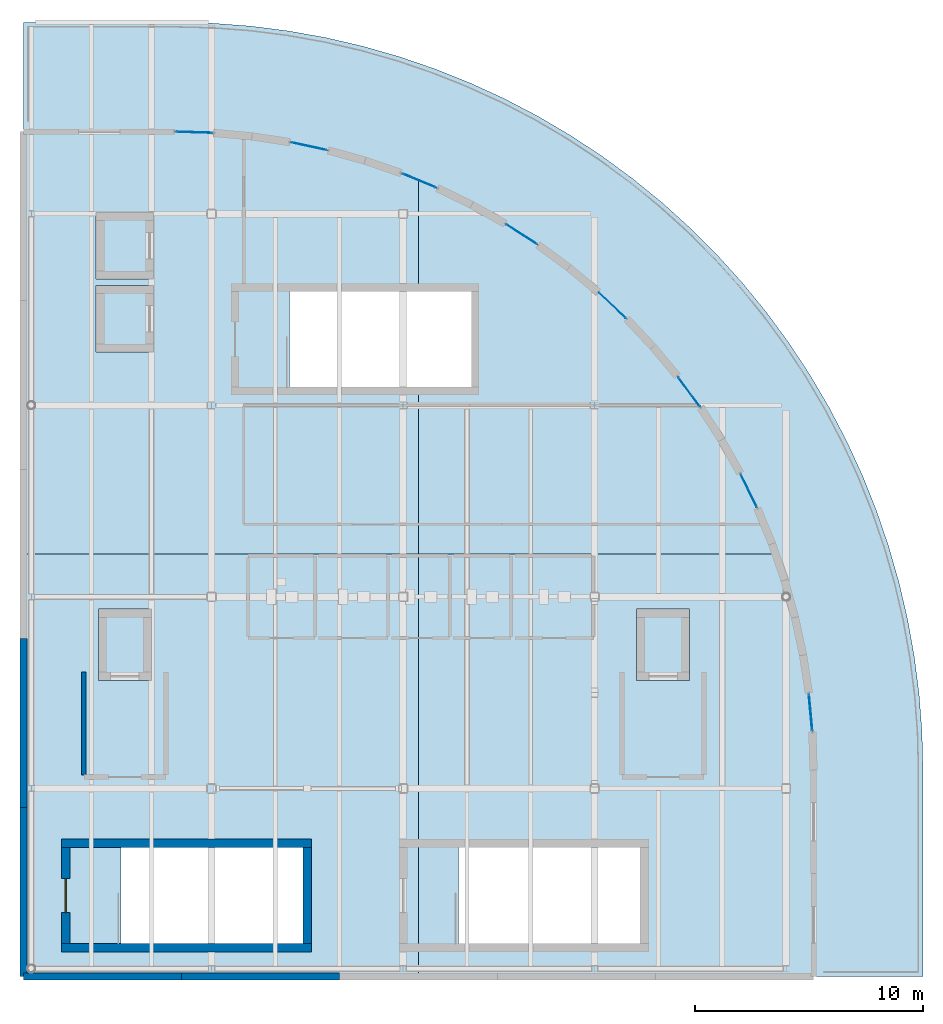
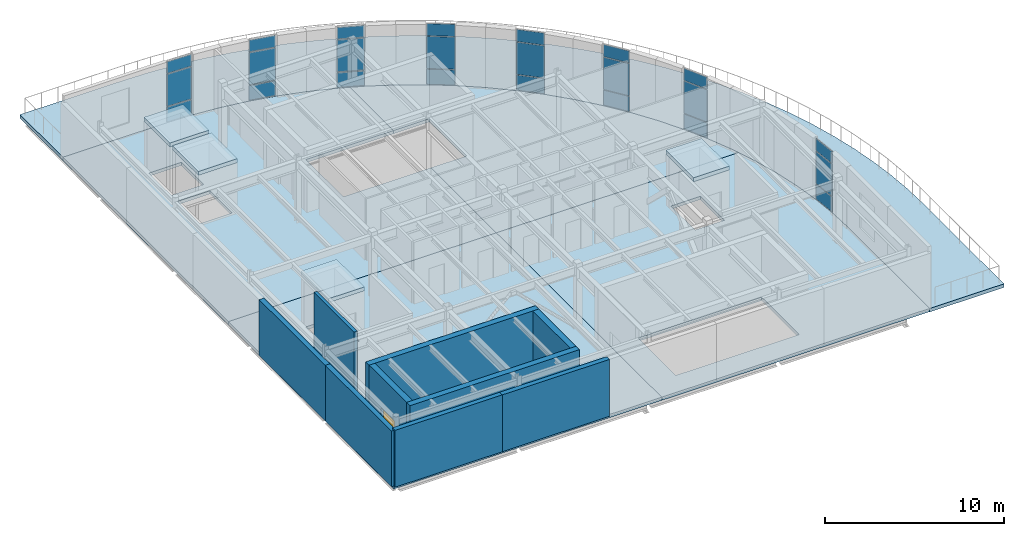
# One storey, part 17 of 26: 24 plates, 9 slabs, 9 walls, 1 door, 1 opening, 8 elements without a shape of their own.
"""IFC4 building model written with IfcOpenShell, lengths in metres."""

from ifc_helpers import new_model, si_unit, direction, frame, frame_2d, origin, origin_2d, place, context, subcontext, project, spatial, polyline, rectangle, outline, extrude, material, layer, layer_set, type_object, element, fill, aggregate, save


model = new_model("IFC4")

# Units and contexts
model_context = context("Model", 3, precision=1e-05, world=origin(), true_north=direction((0.0, 1.0)))
body_context = subcontext(model_context, "Body", "Model", "MODEL_VIEW")
ifc_project = project(units=[si_unit("LENGTHUNIT", "METRE"), si_unit("AREAUNIT", "SQUARE_METRE"), si_unit("VOLUMEUNIT", "CUBIC_METRE"), si_unit("PLANEANGLEUNIT", "RADIAN"), si_unit("MASSUNIT", "GRAM", prefix="KILO"), si_unit("THERMODYNAMICTEMPERATUREUNIT", "KELVIN")], contexts=[model_context])

# Site, building, storey
site_placement = place(None, origin())
site = spatial("IfcSite", under=ifc_project, at=site_placement, CompositionType="ELEMENT")
building_placement = place(site_placement, origin())
building = spatial("IfcBuilding", under=site, at=building_placement, Name="Lustrewick Department Store", CompositionType="ELEMENT")
storey_placement = place(building_placement, frame((0.0, 0.0, 36.300048828125)))
storey = spatial("IfcBuildingStorey", under=building, at=storey_placement, Name="L08", CompositionType="ELEMENT", Elevation=36.300048828125)

# Curtain wall, plates
ifc_material_1 = material(Name="Thermally broken aluminium 6063-T5", Category="aluminium")
ifc_layer_1 = layer(ifc_material_1, 0.139892578125, Name="Thermally broken aluminium 6063-T5")
ifc_layer_set_1 = layer_set([ifc_layer_1], Name="Thermally broken aluminium 6063-T5")
curtain_wall_type_1 = type_object("IfcCurtainWallType", Name="CW06", PredefinedType="NOTDEFINED", material=ifc_layer_set_1)
curtain_wall_1_placement = place(storey_placement, origin())
curtain_wall_1 = element("IfcCurtainWall", 1, at=curtain_wall_1_placement, inside=storey, type_object=curtain_wall_type_1, Name="L08 V4 Curtain Wall CW06", PredefinedType="NOTDEFINED")
ifc_material_2 = material(Name="Low-E laminated safety glass", Category="glass")
ifc_layer_2 = layer(ifc_material_2, 0.02392578125, Name="Low-E laminated safety glass")
ifc_layer_set_2 = layer_set([ifc_layer_2], Name="Low-E laminated safety glass")
plate_type_1 = type_object("IfcPlateType", Name="CP01", PredefinedType="CURTAIN_PANEL", material=ifc_layer_set_2)
plate_1_placement = place(storey_placement, frame((141.1630859375, 71.851806640625, 0.054931640625), z_axis=(0.0, 0.0, 1.0), x_axis=(-0.437775821113, 0.89908416205, 0.0)))
plate_1 = element("IfcPlate", 2, at=plate_1_placement, type_object=plate_type_1, Name="CW06 panel 1.1", PredefinedType="CURTAIN_PANEL", context=body_context, shape_type="SweptSolid", body=[
    extrude(rectangle(XDim=1.581298828125, YDim=0.02392578125, at=origin_2d()), origin(), (0.0, 0.0, 1.0), 1.017578125),
])
plate_2_placement = place(storey_placement, frame((141.1630859375, 71.851806640625, 1.12744140625), z_axis=(0.0, 0.0, 1.0), x_axis=(-0.437775821113, 0.89908416205, 0.0)))
plate_2 = element("IfcPlate", 3, at=plate_2_placement, type_object=plate_type_1, Name="CW06 panel 1.2", PredefinedType="CURTAIN_PANEL", context=body_context, shape_type="SweptSolid", body=[
    extrude(rectangle(XDim=1.581298828125, YDim=0.02392578125, at=origin_2d()), origin(), (0.0, 0.0, 1.0), 2.18994140625),
])
plate_3_placement = place(storey_placement, frame((141.1630859375, 71.851806640625, 3.37255859375), z_axis=(0.0, 0.0, 1.0), x_axis=(-0.437775821113, 0.89908416205, 0.0)))
plate_3 = element("IfcPlate", 4, at=plate_3_placement, type_object=plate_type_1, Name="CW06 panel 1.3", PredefinedType="CURTAIN_PANEL", context=body_context, shape_type="SweptSolid", body=[
    extrude(rectangle(XDim=1.581298828125, YDim=0.02392578125, at=origin_2d()), origin(), (0.0, 0.0, 1.0), 0.8173828125),
])
aggregate(curtain_wall_1, [plate_1, plate_2, plate_3])

ifc_layer_3 = layer(ifc_material_1, 0.179931640625, Name="Thermally broken aluminium 6063-T5")
ifc_layer_set_3 = layer_set([ifc_layer_3], Name="Thermally broken aluminium 6063-T5")
curtain_wall_type_2 = type_object("IfcCurtainWallType", Name="CW11", PredefinedType="NOTDEFINED", material=ifc_layer_set_3)
curtain_wall_2_placement = place(storey_placement, origin())
curtain_wall_2 = element("IfcCurtainWall", 5, at=curtain_wall_2_placement, inside=storey, type_object=curtain_wall_type_2, Name="L08 V4 Curtain Wall CW11", PredefinedType="NOTDEFINED")
plate_4_placement = place(storey_placement, frame((121.8740234375, 86.9638671875, 0.06494140625), z_axis=(0.0, 0.0, 1.0), x_axis=(-0.977725343289, 0.209888430101, 0.0)))
plate_4 = element("IfcPlate", 6, at=plate_4_placement, type_object=plate_type_1, Name="CW11 panel 1.1", PredefinedType="CURTAIN_PANEL", context=body_context, shape_type="SweptSolid", body=[
    extrude(rectangle(XDim=1.561279296875, YDim=0.02392578125, at=origin_2d()), origin(), (0.0, 0.0, 1.0), 1.00244140625),
])
plate_5_placement = place(storey_placement, frame((121.8740234375, 86.9638671875, 1.13232421875), z_axis=(0.0, 0.0, 1.0), x_axis=(-0.977725343289, 0.209888430101, 0.0)))
plate_5 = element("IfcPlate", 7, at=plate_5_placement, type_object=plate_type_1, Name="CW11 panel 1.2", PredefinedType="CURTAIN_PANEL", context=body_context, shape_type="SweptSolid", body=[
    extrude(rectangle(XDim=1.561279296875, YDim=0.02392578125, at=origin_2d()), origin(), (0.0, 0.0, 1.0), 2.179931640625),
])
plate_6_placement = place(storey_placement, frame((121.8740234375, 86.9638671875, 3.37744140625), z_axis=(0.0, 0.0, 1.0), x_axis=(-0.977725343289, 0.209888430101, 0.0)))
plate_6 = element("IfcPlate", 8, at=plate_6_placement, type_object=plate_type_1, Name="CW11 panel 1.3", PredefinedType="CURTAIN_PANEL", context=body_context, shape_type="SweptSolid", body=[
    extrude(rectangle(XDim=1.561279296875, YDim=0.02392578125, at=origin_2d()), origin(), (0.0, 0.0, 1.0), 0.802490234375),
])
aggregate(curtain_wall_2, [plate_4, plate_5, plate_6])

ifc_layer_4 = layer(ifc_material_1, 0.1298828125, Name="Thermally broken aluminium 6063-T5")
ifc_layer_set_4 = layer_set([ifc_layer_4], Name="Thermally broken aluminium 6063-T5")
curtain_wall_type_3 = type_object("IfcCurtainWallType", Name="CW07", PredefinedType="NOTDEFINED", material=ifc_layer_set_4)
curtain_wall_3_placement = place(storey_placement, origin())
curtain_wall_3 = element("IfcCurtainWall", 9, at=curtain_wall_3_placement, inside=storey, type_object=curtain_wall_type_3, Name="L08 V4 Curtain Wall CW07", PredefinedType="NOTDEFINED")
ifc_layer_5 = layer(ifc_material_2, 0.02587890625, Name="Low-E laminated safety glass")
ifc_layer_set_5 = layer_set([ifc_layer_5], Name="Low-E laminated safety glass")
plate_type_2 = type_object("IfcPlateType", Name="CP02", PredefinedType="CURTAIN_PANEL", material=ifc_layer_set_5)
plate_7_placement = place(storey_placement, frame((138.542236328125, 76.18701171875, 0.054931640625), z_axis=(0.0, 0.0, 1.0), x_axis=(-0.59266243518, 0.805450953148, 0.0)))
plate_7 = element("IfcPlate", 10, at=plate_7_placement, type_object=plate_type_2, Name="CW07 panel 1.1", PredefinedType="CURTAIN_PANEL", context=body_context, shape_type="SweptSolid", body=[
    extrude(rectangle(XDim=1.581298828125, YDim=0.02587890625, at=origin_2d()), origin(), (0.0, 0.0, 1.0), 1.017578125),
])
plate_8_placement = place(storey_placement, frame((138.542236328125, 76.18701171875, 1.12744140625), z_axis=(0.0, 0.0, 1.0), x_axis=(-0.59266243518, 0.805450953148, 0.0)))
plate_8 = element("IfcPlate", 11, at=plate_8_placement, type_object=plate_type_2, Name="CW07 panel 1.2", PredefinedType="CURTAIN_PANEL", context=body_context, shape_type="SweptSolid", body=[
    extrude(rectangle(XDim=1.581298828125, YDim=0.02587890625, at=origin_2d()), origin(), (0.0, 0.0, 1.0), 2.18994140625),
])
plate_9_placement = place(storey_placement, frame((138.542236328125, 76.18701171875, 3.37255859375), z_axis=(0.0, 0.0, 1.0), x_axis=(-0.59266243518, 0.805450953148, 0.0)))
plate_9 = element("IfcPlate", 12, at=plate_9_placement, type_object=plate_type_2, Name="CW07 panel 1.3", PredefinedType="CURTAIN_PANEL", context=body_context, shape_type="SweptSolid", body=[
    extrude(rectangle(XDim=1.581298828125, YDim=0.02587890625, at=origin_2d()), origin(), (0.0, 0.0, 1.0), 0.8173828125),
])
aggregate(curtain_wall_3, [plate_7, plate_8, plate_9])

ifc_layer_6 = layer(ifc_material_1, 0.169921875, Name="Thermally broken aluminium 6063-T5")
ifc_layer_set_6 = layer_set([ifc_layer_6], Name="Thermally broken aluminium 6063-T5")
curtain_wall_type_4 = type_object("IfcCurtainWallType", Name="CW12", PredefinedType="NOTDEFINED", material=ifc_layer_set_6)
curtain_wall_4_placement = place(storey_placement, origin())
curtain_wall_4 = element("IfcCurtainWall", 13, at=curtain_wall_4_placement, inside=storey, type_object=curtain_wall_type_4, Name="L08 V4 Curtain Wall CW12", PredefinedType="NOTDEFINED")
plate_10_placement = place(storey_placement, frame((116.84521484375, 87.574462890625, 0.06494140625), z_axis=(0.0, 0.0, 1.0), x_axis=(-0.99954350858, 0.030212157398, 0.0)))
plate_10 = element("IfcPlate", 14, at=plate_10_placement, type_object=plate_type_2, Name="CW12 panel 1.1", PredefinedType="CURTAIN_PANEL", context=body_context, shape_type="SweptSolid", body=[
    extrude(rectangle(XDim=1.561279296875, YDim=0.02587890625, at=origin_2d()), origin(), (0.0, 0.0, 1.0), 1.00244140625),
])
plate_11_placement = place(storey_placement, frame((116.84521484375, 87.574462890625, 1.13232421875), z_axis=(0.0, 0.0, 1.0), x_axis=(-0.99954350858, 0.030212157398, 0.0)))
plate_11 = element("IfcPlate", 15, at=plate_11_placement, type_object=plate_type_2, Name="CW12 panel 1.2", PredefinedType="CURTAIN_PANEL", context=body_context, shape_type="SweptSolid", body=[
    extrude(rectangle(XDim=1.561279296875, YDim=0.02587890625, at=origin_2d()), origin(), (0.0, 0.0, 1.0), 2.179931640625),
])
plate_12_placement = place(storey_placement, frame((116.84521484375, 87.574462890625, 3.37744140625), z_axis=(0.0, 0.0, 1.0), x_axis=(-0.99954350858, 0.030212157398, 0.0)))
plate_12 = element("IfcPlate", 16, at=plate_12_placement, type_object=plate_type_2, Name="CW12 panel 1.3", PredefinedType="CURTAIN_PANEL", context=body_context, shape_type="SweptSolid", body=[
    extrude(rectangle(XDim=1.561279296875, YDim=0.02587890625, at=origin_2d()), origin(), (0.0, 0.0, 1.0), 0.802490234375),
])
aggregate(curtain_wall_4, [plate_10, plate_11, plate_12])

ifc_layer_7 = layer(ifc_material_1, 0.1201171875, Name="Thermally broken aluminium 6063-T5")
ifc_layer_set_7 = layer_set([ifc_layer_7], Name="Thermally broken aluminium 6063-T5")
curtain_wall_type_5 = type_object("IfcCurtainWallType", Name="CW08", PredefinedType="NOTDEFINED", material=ifc_layer_set_7)
curtain_wall_5_placement = place(storey_placement, origin())
curtain_wall_5 = element("IfcCurtainWall", 17, at=curtain_wall_5_placement, inside=storey, type_object=curtain_wall_type_5, Name="L08 V4 Curtain Wall CW08", PredefinedType="NOTDEFINED")
ifc_layer_8 = layer(ifc_material_2, 0.028076171875, Name="Low-E laminated safety glass")
ifc_layer_set_8 = layer_set([ifc_layer_8], Name="Low-E laminated safety glass")
plate_type_3 = type_object("IfcPlateType", Name="CP03", PredefinedType="CURTAIN_PANEL", material=ifc_layer_set_8)
plate_13_placement = place(storey_placement, frame((135.18310546875, 79.978759765625, 0.050048828125), z_axis=(0.0, 0.0, 1.0), x_axis=(-0.72815659834, 0.68541080258, 0.0)))
plate_13 = element("IfcPlate", 18, at=plate_13_placement, type_object=plate_type_3, Name="CW08 panel 1.1", PredefinedType="CURTAIN_PANEL", context=body_context, shape_type="SweptSolid", body=[
    extrude(rectangle(XDim=1.59130859375, YDim=0.028076171875, at=origin_2d()), origin(), (0.0, 0.0, 1.0), 1.02490234375),
])
plate_14_placement = place(storey_placement, frame((135.18310546875, 79.978759765625, 1.125), z_axis=(0.0, 0.0, 1.0), x_axis=(-0.72815659834, 0.68541080258, 0.0)))
plate_14 = element("IfcPlate", 19, at=plate_14_placement, type_object=plate_type_3, Name="CW08 panel 1.2", PredefinedType="CURTAIN_PANEL", context=body_context, shape_type="SweptSolid", body=[
    extrude(rectangle(XDim=1.59130859375, YDim=0.028076171875, at=origin_2d()), origin(), (0.0, 0.0, 1.0), 2.195068359375),
])
plate_15_placement = place(storey_placement, frame((135.18310546875, 79.978759765625, 3.3701171875), z_axis=(0.0, 0.0, 1.0), x_axis=(-0.72815659834, 0.68541080258, 0.0)))
plate_15 = element("IfcPlate", 20, at=plate_15_placement, type_object=plate_type_3, Name="CW08 panel 1.3", PredefinedType="CURTAIN_PANEL", context=body_context, shape_type="SweptSolid", body=[
    extrude(rectangle(XDim=1.59130859375, YDim=0.028076171875, at=origin_2d()), origin(), (0.0, 0.0, 1.0), 0.824951171875),
])
aggregate(curtain_wall_5, [plate_13, plate_14, plate_15])

ifc_layer_9 = layer(ifc_material_1, 0.110107421875, Name="Thermally broken aluminium 6063-T5")
ifc_layer_set_9 = layer_set([ifc_layer_9], Name="Thermally broken aluminium 6063-T5")
curtain_wall_type_6 = type_object("IfcCurtainWallType", Name="CW09", PredefinedType="NOTDEFINED", material=ifc_layer_set_9)
curtain_wall_6_placement = place(storey_placement, origin())
curtain_wall_6 = element("IfcCurtainWall", 21, at=curtain_wall_6_placement, inside=storey, type_object=curtain_wall_type_6, Name="L08 V4 Curtain Wall CW09", PredefinedType="NOTDEFINED")
ifc_material_3 = material(Name="Tinted ceramic spandrel safety glass", Category="glass")
ifc_layer_10 = layer(ifc_material_3, 0.030029296875, Name="Tinted ceramic spandrel safety glass")
ifc_layer_set_10 = layer_set([ifc_layer_10], Name="Tinted ceramic spandrel safety glass")
plate_type_4 = type_object("IfcPlateType", Name="CP04", PredefinedType="CURTAIN_PANEL", material=ifc_layer_set_10)
plate_16_placement = place(storey_placement, frame((131.195556640625, 83.102783203125, 0.050048828125), z_axis=(0.0, 0.0, 1.0), x_axis=(-0.839736674028, 0.542993847379, 0.0)))
plate_16 = element("IfcPlate", 22, at=plate_16_placement, type_object=plate_type_4, Name="CW09 panel 1.1", PredefinedType="CURTAIN_PANEL", context=body_context, shape_type="SweptSolid", body=[
    extrude(rectangle(XDim=1.59130859375, YDim=0.030029296875, at=origin_2d()), origin(), (0.0, 0.0, 1.0), 1.02490234375),
])
plate_17_placement = place(storey_placement, frame((131.195556640625, 83.102783203125, 1.125), z_axis=(0.0, 0.0, 1.0), x_axis=(-0.839736674028, 0.542993847379, 0.0)))
plate_17 = element("IfcPlate", 23, at=plate_17_placement, type_object=plate_type_4, Name="CW09 panel 1.2", PredefinedType="CURTAIN_PANEL", context=body_context, shape_type="SweptSolid", body=[
    extrude(rectangle(XDim=1.59130859375, YDim=0.030029296875, at=origin_2d()), origin(), (0.0, 0.0, 1.0), 2.195068359375),
])
plate_18_placement = place(storey_placement, frame((131.195556640625, 83.102783203125, 3.3701171875), z_axis=(0.0, 0.0, 1.0), x_axis=(-0.839736674028, 0.542993847379, 0.0)))
plate_18 = element("IfcPlate", 24, at=plate_18_placement, type_object=plate_type_4, Name="CW09 panel 1.3", PredefinedType="CURTAIN_PANEL", context=body_context, shape_type="SweptSolid", body=[
    extrude(rectangle(XDim=1.59130859375, YDim=0.030029296875, at=origin_2d()), origin(), (0.0, 0.0, 1.0), 0.824951171875),
])
aggregate(curtain_wall_6, [plate_16, plate_17, plate_18])

ifc_layer_11 = layer(ifc_material_1, 0.14990234375, Name="Thermally broken aluminium 6063-T5")
ifc_layer_set_11 = layer_set([ifc_layer_11], Name="Thermally broken aluminium 6063-T5")
curtain_wall_type_7 = type_object("IfcCurtainWallType", Name="CW05", PredefinedType="NOTDEFINED", material=ifc_layer_set_11)
curtain_wall_7_placement = place(storey_placement, origin())
curtain_wall_7 = element("IfcCurtainWall", 25, at=curtain_wall_7_placement, inside=storey, type_object=curtain_wall_type_7, Name="L08 V4 Curtain Wall CW05", PredefinedType="NOTDEFINED")
ifc_material_4 = material(Name="Low-E triple laminated safety glass", Category="glass")
ifc_layer_12 = layer(ifc_material_4, 0.031982421875, Name="Low-E triple laminated safety glass")
ifc_layer_set_12 = layer_set([ifc_layer_12], Name="Low-E triple laminated safety glass")
plate_type_5 = type_object("IfcPlateType", Name="CP05", PredefinedType="CURTAIN_PANEL", material=ifc_layer_set_12)
plate_19_placement = place(storey_placement, frame((143.872314453125, 62.1328125, 0.06005859375), z_axis=(0.0, 0.0, 1.0), x_axis=(-0.090519753315, 0.995894660223, 0.0)))
plate_19 = element("IfcPlate", 26, at=plate_19_placement, type_object=plate_type_5, Name="CW05 panel 1.1", PredefinedType="CURTAIN_PANEL", context=body_context, shape_type="SweptSolid", body=[
    extrude(rectangle(XDim=1.5712890625, YDim=0.031982421875, at=origin_2d()), origin(), (0.0, 0.0, 1.0), 1.010009765625),
])
plate_20_placement = place(storey_placement, frame((143.872314453125, 62.1328125, 1.1298828125), z_axis=(0.0, 0.0, 1.0), x_axis=(-0.090519753315, 0.995894660223, 0.0)))
plate_20 = element("IfcPlate", 27, at=plate_20_placement, type_object=plate_type_5, Name="CW05 panel 1.2", PredefinedType="CURTAIN_PANEL", context=body_context, shape_type="SweptSolid", body=[
    extrude(rectangle(XDim=1.5712890625, YDim=0.031982421875, at=origin_2d()), origin(), (0.0, 0.0, 1.0), 2.18505859375),
])
plate_21_placement = place(storey_placement, frame((143.872314453125, 62.1328125, 3.375), z_axis=(0.0, 0.0, 1.0), x_axis=(-0.090519753315, 0.995894660223, 0.0)))
plate_21 = element("IfcPlate", 28, at=plate_21_placement, type_object=plate_type_5, Name="CW05 panel 1.3", PredefinedType="CURTAIN_PANEL", context=body_context, shape_type="SweptSolid", body=[
    extrude(rectangle(XDim=1.5712890625, YDim=0.031982421875, at=origin_2d()), origin(), (0.0, 0.0, 1.0), 0.81005859375),
])
aggregate(curtain_wall_7, [plate_19, plate_20, plate_21])

ifc_layer_13 = layer(ifc_material_1, 0.199951171875, Name="Thermally broken aluminium 6063-T5")
ifc_layer_set_13 = layer_set([ifc_layer_13], Name="Thermally broken aluminium 6063-T5")
curtain_wall_type_8 = type_object("IfcCurtainWallType", Name="CW10", PredefinedType="NOTDEFINED", material=ifc_layer_set_13)
curtain_wall_8_placement = place(storey_placement, origin())
curtain_wall_8 = element("IfcCurtainWall", 29, at=curtain_wall_8_placement, inside=storey, type_object=curtain_wall_type_8, Name="L08 V4 Curtain Wall CW10", PredefinedType="NOTDEFINED")
plate_22_placement = place(storey_placement, frame((126.710205078125, 85.456787109375, 0.06982421875), z_axis=(0.0, 0.0, 1.0), x_axis=(-0.923877762898, 0.382687704562, 0.0)))
plate_22 = element("IfcPlate", 30, at=plate_22_placement, type_object=plate_type_5, Name="CW10 panel 1.1", PredefinedType="CURTAIN_PANEL", context=body_context, shape_type="SweptSolid", body=[
    extrude(rectangle(XDim=1.551513671875, YDim=0.031982421875, at=origin_2d()), origin(), (0.0, 0.0, 1.0), 0.9951171875),
])
plate_23_placement = place(storey_placement, frame((126.710205078125, 85.456787109375, 1.134765625), z_axis=(0.0, 0.0, 1.0), x_axis=(-0.923877762898, 0.382687704562, 0.0)))
plate_23 = element("IfcPlate", 31, at=plate_23_placement, type_object=plate_type_5, Name="CW10 panel 1.2", PredefinedType="CURTAIN_PANEL", context=body_context, shape_type="SweptSolid", body=[
    extrude(rectangle(XDim=1.551513671875, YDim=0.031982421875, at=origin_2d()), origin(), (0.0, 0.0, 1.0), 2.175048828125),
])
plate_24_placement = place(storey_placement, frame((126.710205078125, 85.456787109375, 3.3798828125), z_axis=(0.0, 0.0, 1.0), x_axis=(-0.923877762898, 0.382687704562, 0.0)))
plate_24 = element("IfcPlate", 32, at=plate_24_placement, type_object=plate_type_5, Name="CW10 panel 1.3", PredefinedType="CURTAIN_PANEL", context=body_context, shape_type="SweptSolid", body=[
    extrude(rectangle(XDim=1.551513671875, YDim=0.031982421875, at=origin_2d()), origin(), (0.0, 0.0, 1.0), 0.794921875),
])
aggregate(curtain_wall_8, [plate_22, plate_23, plate_24])

# Slabs
ifc_material_5 = material(Name="Concrete C30", Category="concrete")
ifc_layer_14 = layer(ifc_material_5, 0.219970703125, Name="Concrete C30")
ifc_layer_set_14 = layer_set([ifc_layer_14], Name="Concrete C30")
slab_type_1 = type_object("IfcSlabType", Name="FS08", PredefinedType="FLOOR", material=ifc_layer_set_14)
slab_1_placement = place(storey_placement, frame((0.0, 0.0, -0.219970703125)))
element("IfcSlab", 33, at=slab_1_placement, inside=storey, type_object=slab_type_1, Name="L08 V4 Floor Slab FS08", PredefinedType="FLOOR", context=body_context, shape_type="SweptSolid", body=[
    extrude(outline(polyline([(109.35009765625, 50.550048828125), (126.675048828125, 50.550048828125), (126.675048828125, 69.074951171875), (109.35009765625, 69.074951171875), (109.35009765625, 50.550048828125)]), holes=[polyline([(113.6201171875, 56.199951171875), (121.60009765625, 56.199951171875), (121.60009765625, 52.0), (113.6201171875, 52.0), (113.6201171875, 56.199951171875)]), polyline([(114.75, 66.449951171875), (114.75, 63.75), (112.85009765625, 63.75), (112.85009765625, 66.449951171875), (114.75, 66.449951171875)])]), origin(), (0.0, 0.0, 1.0), 0.219970703125),
])
slab_2_placement = place(storey_placement, frame((0.0, 0.0, -0.219970703125)))
element("IfcSlab", 34, at=slab_2_placement, inside=storey, type_object=slab_type_1, Name="L08 V4 Floor Slab FS08", PredefinedType="FLOOR", context=body_context, shape_type="SweptSolid", body=[
    extrude(outline(polyline([(142.732177734375, 67.93017578125), (142.337158203125, 69.074951171875), (126.675048828125, 69.074951171875), (126.675048828125, 50.550048828125), (144.0, 50.550048828125), (144.0, 59.60009765625), (143.948974609375, 61.29052734375), (143.7958984375, 62.97509765625), (143.54150390625, 64.647216796875), (143.186279296875, 66.30078125), (142.732177734375, 67.93017578125)]), holes=[polyline([(138.35009765625, 66.449951171875), (138.35009765625, 63.75), (136.449951171875, 63.75), (136.449951171875, 66.449951171875), (138.35009765625, 66.449951171875)]), polyline([(136.39990234375, 56.199951171875), (136.39990234375, 52.0), (128.419921875, 52.0), (128.419921875, 56.199951171875), (136.39990234375, 56.199951171875)])]), origin(), (0.0, 0.0, 1.0), 0.219970703125),
])
slab_3_placement = place(storey_placement, frame((0.0, 0.0, -0.219970703125)))
element("IfcSlab", 35, at=slab_3_placement, inside=storey, type_object=slab_type_1, Name="L08 V4 Floor Slab FS08", PredefinedType="FLOOR", context=body_context, shape_type="SweptSolid", body=[
    extrude(outline(polyline([(109.35009765625, 87.60009765625), (109.35009765625, 69.074951171875), (126.675048828125, 69.074951171875), (126.675048828125, 76.39990234375), (121.02001953125, 76.39990234375), (121.02001953125, 80.60009765625), (126.675048828125, 80.60009765625), (126.675048828125, 85.471435546875), (125.928955078125, 85.780517578125), (124.330078125, 86.332275390625), (122.70068359375, 86.786376953125), (121.047119140625, 87.141357421875), (119.375, 87.395751953125), (117.690673828125, 87.548828125), (116.0, 87.60009765625), (109.35009765625, 87.60009765625)]), holes=[polyline([(114.85009765625, 80.64990234375), (114.85009765625, 78.14990234375), (112.75, 78.14990234375), (112.75, 80.64990234375), (114.85009765625, 80.64990234375)]), polyline([(114.85009765625, 83.85009765625), (114.85009765625, 81.35009765625), (112.75, 81.35009765625), (112.75, 83.85009765625), (114.85009765625, 83.85009765625)])]), origin(), (0.0, 0.0, 1.0), 0.219970703125),
])
slab_4_placement = place(storey_placement, frame((0.0, 0.0, -0.219970703125)))
element("IfcSlab", 36, at=slab_4_placement, inside=storey, type_object=slab_type_1, Name="L08 V4 Floor Slab FS08", PredefinedType="FLOOR", context=body_context, shape_type="SweptSolid", body=[
    extrude(outline(polyline([(127.49169921875, 85.13330078125), (126.675048828125, 85.471435546875), (126.675048828125, 80.60009765625), (129.0, 80.60009765625), (129.0, 76.39990234375), (126.675048828125, 76.39990234375), (126.675048828125, 69.074951171875), (142.337158203125, 69.074951171875), (142.180419921875, 69.52880859375), (141.533203125, 71.091552734375), (140.792724609375, 72.6123046875), (139.9619140625, 74.08544921875), (139.04345703125, 75.505859375), (138.041015625, 76.8681640625), (136.958251953125, 78.16748046875), (135.799072265625, 79.39892578125), (134.5673828125, 80.558349609375), (133.26806640625, 81.64111328125), (131.90576171875, 82.6435546875), (130.485595703125, 83.56201171875), (129.01220703125, 84.392822265625), (127.49169921875, 85.13330078125)])), origin(), (0.0, 0.0, 1.0), 0.219970703125),
])
ifc_material_6 = material(Name="Concrete C35", Category="concrete")
ifc_layer_15 = layer(ifc_material_6, 0.26806640625, Name="Concrete C35")
ifc_layer_set_15 = layer_set([ifc_layer_15], Name="Concrete C35")
slab_type_2 = type_object("IfcSlabType", Name="RS02", PredefinedType="ROOF", material=ifc_layer_set_15)
slab_5_placement = place(storey_placement, frame((0.0, 0.0, 3.494873046875)))
element("IfcSlab", 37, at=slab_5_placement, inside=storey, type_object=slab_type_2, Name="L08 Lift FFL-03 Overrun Cap Slab", PredefinedType="ROOF", context=body_context, shape_type="SweptSolid", body=[
    extrude(outline(polyline([(138.56005859375, 63.5400390625), (138.56005859375, 66.659912109375), (136.239990234375, 66.659912109375), (136.239990234375, 63.5400390625), (138.56005859375, 63.5400390625)])), origin(), (0.0, 0.0, 1.0), 0.26806640625),
])
slab_6_placement = place(storey_placement, frame((0.0, 0.0, 3.494873046875)))
element("IfcSlab", 38, at=slab_6_placement, inside=storey, type_object=slab_type_2, Name="L08 Lift FFL-04 Overrun Cap Slab", PredefinedType="ROOF", context=body_context, shape_type="SweptSolid", body=[
    extrude(outline(polyline([(114.9599609375, 63.5400390625), (114.9599609375, 66.659912109375), (112.639892578125, 66.659912109375), (112.639892578125, 63.5400390625), (114.9599609375, 63.5400390625)])), origin(), (0.0, 0.0, 1.0), 0.26806640625),
])
slab_7_placement = place(storey_placement, frame((0.0, 0.0, 3.494873046875)))
element("IfcSlab", 39, at=slab_7_placement, inside=storey, type_object=slab_type_2, Name="L08 Lift PL-07 Overrun Cap Slab", PredefinedType="ROOF", context=body_context, shape_type="SweptSolid", body=[
    extrude(outline(polyline([(115.06005859375, 77.93994140625), (115.06005859375, 80.860107421875), (112.5400390625, 80.860107421875), (112.5400390625, 77.93994140625), (115.06005859375, 77.93994140625)])), origin(), (0.0, 0.0, 1.0), 0.26806640625),
])
slab_8_placement = place(storey_placement, frame((0.0, 0.0, 3.494873046875)))
element("IfcSlab", 40, at=slab_8_placement, inside=storey, type_object=slab_type_2, Name="L08 Lift PL-08 Overrun Cap Slab", PredefinedType="ROOF", context=body_context, shape_type="SweptSolid", body=[
    extrude(outline(polyline([(115.06005859375, 81.139892578125), (115.06005859375, 84.06005859375), (112.5400390625, 84.06005859375), (112.5400390625, 81.139892578125), (115.06005859375, 81.139892578125)])), origin(), (0.0, 0.0, 1.0), 0.26806640625),
])
ifc_layer_16 = layer(ifc_material_6, 0.2451171875, Name="Concrete C35")
ifc_layer_set_16 = layer_set([ifc_layer_16], Name="Concrete C35")
slab_type_3 = type_object("IfcSlabType", Name="TS01", PredefinedType="FLOOR", material=ifc_layer_set_16)
slab_9_placement = place(storey_placement, frame((0.0, 0.0, -0.2451171875)))
element("IfcSlab", 41, at=slab_9_placement, inside=storey, type_object=slab_type_3, Name="L08 V4 Stepped Planted Terrace TS01", PredefinedType="FLOOR", context=body_context, shape_type="SweptSolid", body=[
    extrude(outline(polyline([(109.35009765625, 92.39990234375), (109.35009765625, 87.60009765625), (116.0, 87.60009765625), (117.690673828125, 87.548828125), (119.375, 87.395751953125), (121.047119140625, 87.141357421875), (122.70068359375, 86.786376953125), (124.330078125, 86.332275390625), (125.928955078125, 85.780517578125), (127.49169921875, 85.13330078125), (129.01220703125, 84.392822265625), (130.485595703125, 83.56201171875), (131.90576171875, 82.6435546875), (133.26806640625, 81.64111328125), (134.5673828125, 80.558349609375), (135.799072265625, 79.39892578125), (136.958251953125, 78.16748046875), (138.041015625, 76.8681640625), (139.04345703125, 75.505859375), (139.9619140625, 74.08544921875), (140.792724609375, 72.6123046875), (141.533203125, 71.091552734375), (142.180419921875, 69.52880859375), (142.732177734375, 67.93017578125), (143.186279296875, 66.30078125), (143.54150390625, 64.647216796875), (143.7958984375, 62.97509765625), (143.948974609375, 61.29052734375), (144.0, 59.60009765625), (144.0, 50.550048828125), (148.800048828125, 50.550048828125), (148.800048828125, 59.60009765625), (148.7578125, 61.26123046875), (148.631591796875, 62.918212890625), (148.421875, 64.56689453125), (148.128662109375, 66.20263671875), (147.7529296875, 67.8212890625), (147.2958984375, 69.419189453125), (146.75830078125, 70.99169921875), (146.141845703125, 72.534912109375), (145.447998046875, 74.044921875), (144.6787109375, 75.517822265625), (143.83544921875, 76.949951171875), (142.9208984375, 78.337646484375), (141.9375, 79.677001953125), (140.88720703125, 80.965087890625), (139.773193359375, 82.197998046875), (138.59814453125, 83.373291015625), (137.364990234375, 84.4873046875), (136.0771484375, 85.537353515625), (134.737548828125, 86.52099609375), (133.35009765625, 87.435546875), (131.91796875, 88.278564453125), (130.44482421875, 89.048095703125), (128.934814453125, 89.74169921875), (127.3916015625, 90.3583984375), (125.819091796875, 90.895751953125), (124.221435546875, 91.352783203125), (122.6025390625, 91.728515625), (120.966796875, 92.021728515625), (119.318359375, 92.231689453125), (117.661376953125, 92.35791015625), (116.0, 92.39990234375), (109.35009765625, 92.39990234375)])), origin(), (0.0, 0.0, 1.0), 0.2451171875),
])

# Walls
ifc_material_7 = material(Name="Precast concrete C40", Category="concrete")
ifc_layer_17 = layer(ifc_material_7, 0.300048828125, Name="Precast concrete C40")
ifc_layer_set_17 = layer_set([ifc_layer_17], Name="Precast concrete C40")
wall_type_1 = type_object("IfcWallType", Name="EW04", PredefinedType="STANDARD", material=ifc_layer_set_17)
for number, where, z_axis, x_axis, name in (
    (42, (109.35009765625, 50.550048828125, 0.0), (0.0, 0.0, 1.0), (1.0, 0.0, 0.0), "L08 V4 Exterior Wall EW04"),
    (43, (116.280029296875, 50.550048828125, 0.0), (0.0, 0.0, 1.0), (1.0, 0.0, 0.0), "L08 V4 Exterior Wall EW04"),
):
    element("IfcWall", number, at=place(storey_placement, frame(where, z_axis=z_axis, x_axis=x_axis)), inside=storey, type_object=wall_type_1, Name=name, PredefinedType="STANDARD", context=body_context, shape_type="SweptSolid", body=[
        extrude(rectangle(XDim=6.929931640625, YDim=0.300048828125, at=frame_2d((3.46484375, 0.0))), origin(), (0.0, 0.0, 1.0), 3.886962890625),
    ])
wall_1_placement = place(storey_placement, frame((109.35009765625, 65.3701171875, 0.0), z_axis=(0.0, 0.0, 1.0), x_axis=(0.0, -1.0, 0.0)))
element("IfcWall", 44, at=wall_1_placement, inside=storey, type_object=wall_type_1, Name="L08 V4 Exterior Wall EW04", PredefinedType="STANDARD", context=body_context, shape_type="SweptSolid", body=[
    extrude(rectangle(XDim=7.41015625, YDim=0.300048828125, at=frame_2d((3.705078125, 0.0))), origin(), (0.0, 0.0, 1.0), 3.796875),
])
wall_2_placement = place(storey_placement, frame((109.35009765625, 57.9599609375, 0.0), z_axis=(0.0, 0.0, 1.0), x_axis=(0.0, -1.0, 0.0)))
element("IfcWall", 45, at=wall_2_placement, inside=storey, type_object=wall_type_1, Name="L08 V4 Exterior Wall EW04", PredefinedType="STANDARD", context=body_context, shape_type="SweptSolid", body=[
    extrude(rectangle(XDim=7.409912109375, YDim=0.300048828125, at=frame_2d((3.705078125, 0.0))), origin(), (0.0, 0.0, 1.0), 3.796875),
])
ifc_material_8 = material(Name="Autoclaved aerated concrete blockwork and fire board", Category="masonry")
ifc_layer_18 = layer(ifc_material_8, 0.205078125, Name="Autoclaved aerated concrete blockwork and fire board")
ifc_layer_set_18 = layer_set([ifc_layer_18], Name="Autoclaved aerated concrete blockwork and fire board")
wall_type_2 = type_object("IfcWallType", Name="PW02", PredefinedType="PARTITIONING", material=ifc_layer_set_18)
wall_3_placement = place(storey_placement, frame((112.0, 63.89990234375, 0.0), z_axis=(0.0, 0.0, 1.0), x_axis=(0.0, -1.0, 0.0)))
element("IfcWall", 46, at=wall_3_placement, inside=storey, type_object=wall_type_2, Name="L08 Firefighting Lift Lobby FFL-04 PW02", PredefinedType="PARTITIONING", context=body_context, shape_type="SweptSolid", body=[
    extrude(rectangle(XDim=4.50244140625, YDim=0.205078125, at=frame_2d((2.251220703125, 0.0))), origin(), (0.0, 0.0, 1.0), 4.244873046875),
])
ifc_material_9 = material(Name="Concrete C40", Category="concrete")
ifc_layer_19 = layer(ifc_material_9, 0.3798828125, Name="Concrete C40")
ifc_layer_set_19 = layer_set([ifc_layer_19], Name="Concrete C40")
wall_type_3 = type_object("IfcWallType", Name="SW03", PredefinedType="SHEAR", material=ifc_layer_set_19)
wall_4_placement = place(storey_placement, frame((111.02001953125, 51.81005859375, 0.0), z_axis=(0.0, 0.0, 1.0), x_axis=(1.0, 0.0, 0.0)))
element("IfcWall", 47, at=wall_4_placement, inside=storey, type_object=wall_type_3, Name="L08 Stair Core ST09 Shear Wall S", PredefinedType="SHEAR", context=body_context, shape_type="SweptSolid", body=[
    extrude(rectangle(XDim=10.9599609375, YDim=0.3798828125, at=frame_2d((5.47998046875, 0.0))), origin(), (0.0, 0.0, 1.0), 4.244873046875),
])
wall_5_placement = place(storey_placement, frame((121.7900390625, 52.0, 0.0), z_axis=(0.0, 0.0, 1.0), x_axis=(0.0, 1.0, 0.0)))
element("IfcWall", 48, at=wall_5_placement, inside=storey, type_object=wall_type_3, Name="L08 Stair Core ST09 Shear Wall E", PredefinedType="SHEAR", context=body_context, shape_type="SweptSolid", body=[
    extrude(rectangle(XDim=4.199951171875, YDim=0.3798828125, at=frame_2d((2.10009765625, 0.0))), origin(), (0.0, 0.0, 1.0), 4.244873046875),
])
wall_6_placement = place(storey_placement, frame((121.97998046875, 56.389892578125, 0.0), z_axis=(0.0, 0.0, 1.0), x_axis=(-1.0, 0.0, 0.0)))
element("IfcWall", 49, at=wall_6_placement, inside=storey, type_object=wall_type_3, Name="L08 Stair Core ST09 Shear Wall N", PredefinedType="SHEAR", context=body_context, shape_type="SweptSolid", body=[
    extrude(rectangle(XDim=10.9599609375, YDim=0.3798828125, at=frame_2d((5.47998046875, 0.0))), origin(), (0.0, 0.0, 1.0), 4.244873046875),
])

# Wall, opening, door
wall_7_placement = place(storey_placement, frame((111.2099609375, 56.199951171875, 0.0), z_axis=(0.0, 0.0, 1.0), x_axis=(0.0, -1.0, 0.0)))
wall_7 = element("IfcWall", 50, at=wall_7_placement, inside=storey, type_object=wall_type_3, Name="L08 Stair Core ST09 Shear Wall W", PredefinedType="SHEAR", context=body_context, shape_type="SweptSolid", body=[
    extrude(rectangle(XDim=4.199951171875, YDim=0.3798828125, at=frame_2d((2.10009765625, 0.0))), origin(), (0.0, 0.0, 1.0), 4.244873046875),
])
opening_placement = place(wall_7_placement, frame((1.35009765625, 0.0, 0.0)))
opening = element("IfcOpeningElement", 51, at=opening_placement, cuts=wall_7, Name="Opening D-L08-001", PredefinedType="OPENING", context=body_context, shape_type="SweptSolid", body=[
    extrude(rectangle(XDim=1.5, YDim=2.14990234375, at=frame_2d((0.75, 1.074951171875))), frame((0.0, 0.199951171875, 0.0), z_axis=(0.0, -1.0, 0.0), x_axis=(1.0, 0.0, 0.0)), (0.0, 0.0, 1.0), 0.39990234375),
])
ifc_material_10 = material(Name="Steel fire door Class B EI 60", Category="steel")
door_type = type_object("IfcDoorType", Name="DT-07", OperationType="NOTDEFINED", PredefinedType="DOOR", material=ifc_material_10)
door_placement = place(opening_placement, origin())
door = element("IfcDoor", 52, at=door_placement, inside=storey, type_object=door_type, Name="L08 Smoke-Proof Stair ST09 Fire Door", OperationType="SINGLE_SWING_RIGHT", OverallHeight=2.14990234375, OverallWidth=1.5, PredefinedType="DOOR", context=body_context, shape_type="SweptSolid", body=[
    extrude(rectangle(XDim=1.5, YDim=2.14990234375, at=frame_2d((0.75, 1.074951171875))), frame((0.0, 0.02490234375, 0.0), z_axis=(0.0, -1.0, 0.0), x_axis=(1.0, 0.0, 0.0)), (0.0, 0.0, 1.0), 0.050048828125),
])
fill(opening, door)

save(model, "model.ifc")
